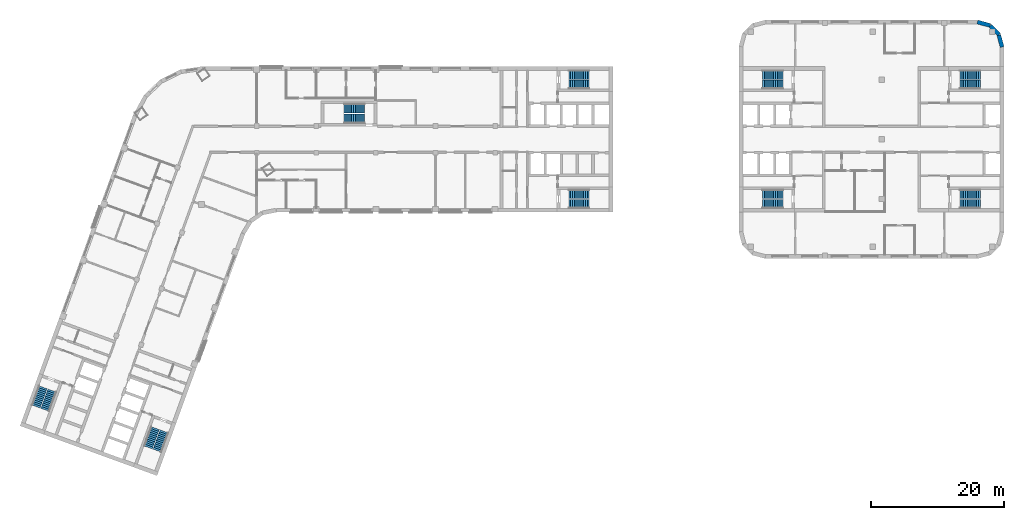
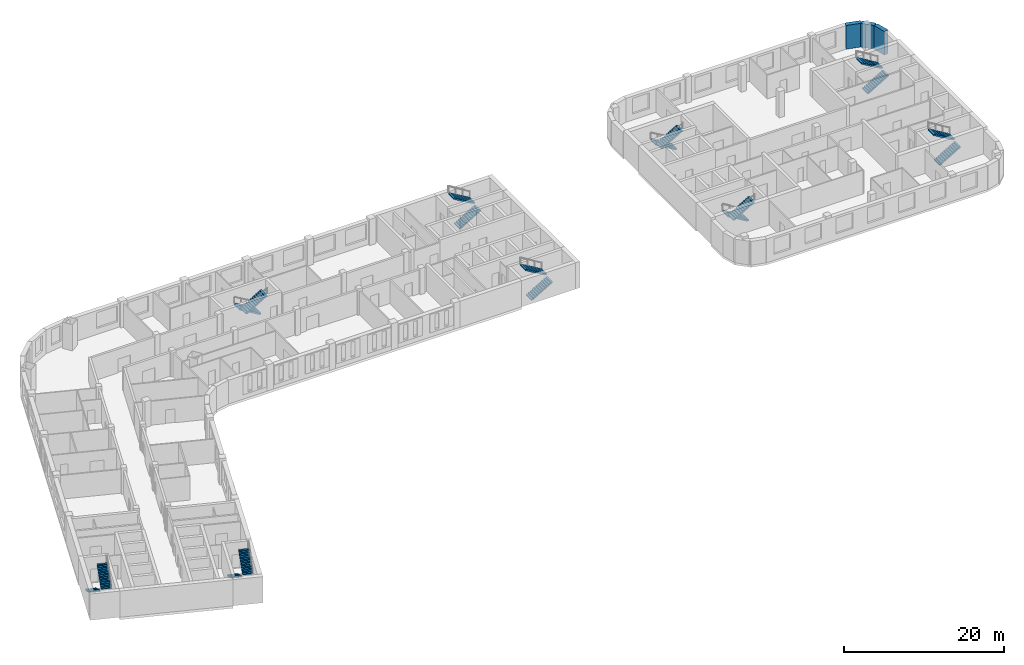
# One storey, part 10 of 12: 18 stair flights, 3 walls, 9 elements without a shape of their own.
"""IFC4 building model written with IfcOpenShell, lengths in metres."""

import ifcopenshell
import ifcopenshell.guid

model = None  # the IFC model being written
_history = None  # IfcOwnerHistory: only IFC2X3 demands one
_inside = {}  # id of a spatial element -> (the spatial element, [elements in it])
_under = {}  # id of a project, library or spatial element -> (it, [spatial elements below it])
_declared = {}  # id of a project -> (the project, [libraries it declares])
_typed = {}  # id of a type object -> (the type object, [elements of that type])
_made_of = {}  # id of a material, layer set ... -> (it, [elements and type objects made of it])


def new_model(schema):
    """Start an empty IFC model of exactly this schema.

    Asked for "IFC4X3", IfcOpenShell would pick the latest addendum, in which some entities
    have other attributes; the version numbers below select the first issue.
    IFC2X3 requires an IfcOwnerHistory on every rooted entity: one is made here for all.
    """
    global model, _history
    if schema == "IFC4X3":
        model = ifcopenshell.file(schema_version=(4, 3, 0, 0))
    else:
        model = ifcopenshell.file(schema=schema)
    _inside.clear()
    _under.clear()
    _declared.clear()
    _typed.clear()
    _made_of.clear()
    _history = None
    if model.schema == "IFC2X3":
        org = make("IfcOrganization", Name="unknown")
        user = make(
            "IfcPersonAndOrganization",
            ThePerson=make("IfcPerson", FamilyName="unknown"),
            TheOrganization=org,
        )
        app = make(
            "IfcApplication",
            ApplicationDeveloper=org,
            Version="unknown",
            ApplicationFullName="unknown",
            ApplicationIdentifier="unknown",
        )
        _history = make(
            "IfcOwnerHistory",
            OwningUser=user,
            OwningApplication=app,
            ChangeAction="ADDED",
            CreationDate=0,
        )
    return model


def make(cls, **values):
    """One entity of the class cls with the attributes given. An attribute that is None is left unset."""
    return model.create_entity(
        cls, **{name: value for name, value in values.items() if value is not None}
    )


def rooted(cls, **values):
    """An entity with a GlobalId (a new one), such as an element, a storey or a relation."""
    return make(cls, GlobalId=ifcopenshell.guid.new(), OwnerHistory=_history, **values)


def si_unit(unit_type, name, prefix=None):
    """IfcSIUnit, for example si_unit("LENGTHUNIT", "METRE", prefix="MILLI")."""
    return make("IfcSIUnit", UnitType=unit_type, Prefix=prefix, Name=name)


def assignment(units):
    """IfcUnitAssignment: the units of a project."""
    return None if units is None else make("IfcUnitAssignment", Units=units)


def point(xyz):
    """IfcCartesianPoint."""
    return None if xyz is None else make("IfcCartesianPoint", Coordinates=xyz)


def direction(xyz):
    """IfcDirection."""
    return None if xyz is None else make("IfcDirection", DirectionRatios=xyz)


def frame(location, z_axis=None, x_axis=None):
    """IfcAxis2Placement3D, a coordinate frame: its origin and axes. An axis left out is left unset."""
    return make(
        "IfcAxis2Placement3D",
        Location=point(location),
        Axis=direction(z_axis),
        RefDirection=direction(x_axis),
    )


def frame_2d(location, x_axis=None):
    """IfcAxis2Placement2D, a coordinate frame in the plane: its origin and x axis."""
    return make(
        "IfcAxis2Placement2D", Location=point(location), RefDirection=direction(x_axis)
    )


def origin():
    """The frame at (0, 0, 0) with its axes left unset."""
    return frame((0.0, 0.0, 0.0))


def place(relative_to, where):
    """IfcLocalPlacement: puts the frame where relative to a parent placement (None: the world)."""
    return make(
        "IfcLocalPlacement", PlacementRelTo=relative_to, RelativePlacement=where
    )


def context(
    kind, dimensions, precision=None, world=None, true_north=None, identifier=None
):
    """IfcGeometricRepresentationContext, for example the 3D "Model" context."""
    return make(
        "IfcGeometricRepresentationContext",
        ContextIdentifier=identifier,
        ContextType=kind,
        CoordinateSpaceDimension=dimensions,
        Precision=precision,
        WorldCoordinateSystem=world,
        TrueNorth=true_north,
    )


def subcontext(parent, identifier, kind, view, scale=None):
    """IfcGeometricRepresentationSubContext, for example "Body" below "Model"."""
    return make(
        "IfcGeometricRepresentationSubContext",
        ContextIdentifier=identifier,
        ContextType=kind,
        ParentContext=parent,
        TargetScale=scale,
        TargetView=view,
    )


def project(units=None, contexts=None):
    """IfcProject with its units and contexts."""
    return rooted(
        "IfcProject",
        Name="project",
        RepresentationContexts=contexts,
        UnitsInContext=assignment(units),
    )


def spatial(cls, under=None, at=None, **own):
    """A site, building, storey or space (cls), placed at a placement, below another one or the project."""
    s = rooted(cls, ObjectPlacement=at, **own)
    if under is not None:
        _under.setdefault(under.id(), (under, []))[1].append(s)
    return s


def polyline(points):
    """IfcPolyline through the points."""
    return make("IfcPolyline", Points=[point(p) for p in points])


def profile(cls, at=None, kind="AREA", **sizes):
    """A parametric profile (cls). Its sizes go by their IFC names, for example OverallWidth=200.0."""
    return make(cls, ProfileType=kind, Position=at, **sizes)


def rectangle(**sizes):
    """IfcRectangleProfileDef."""
    return profile("IfcRectangleProfileDef", **sizes)


def outline(outer, holes=None, kind="AREA"):
    """IfcArbitraryClosedProfileDef: a profile drawn as a closed curve; with holes, ...WithVoids."""
    if holes is None:
        return make("IfcArbitraryClosedProfileDef", ProfileType=kind, OuterCurve=outer)
    return make(
        "IfcArbitraryProfileDefWithVoids",
        ProfileType=kind,
        OuterCurve=outer,
        InnerCurves=holes,
    )


def extrude(swept, where, along, depth):
    """IfcExtrudedAreaSolid: the profile swept, set in the frame where, extruded along a direction by depth."""
    return make(
        "IfcExtrudedAreaSolid",
        SweptArea=swept,
        Position=where,
        ExtrudedDirection=direction(along),
        Depth=depth,
    )


def shape(context_of_items, identifier, shape_type, items):
    """IfcShapeRepresentation: the items that make up one representation, for example the "Body"."""
    return make(
        "IfcShapeRepresentation",
        ContextOfItems=context_of_items,
        RepresentationIdentifier=identifier,
        RepresentationType=shape_type,
        Items=items,
    )


def material(Name=None, Category=None):
    """IfcMaterial."""
    return make("IfcMaterial", Name=Name, Category=Category)


def layer(
    of_material, thickness, ventilated=None, Name=None, Category=None, Priority=None
):
    """IfcMaterialLayer: one layer of a wall or slab, of a material (None: an air gap)."""
    return make(
        "IfcMaterialLayer",
        Material=of_material,
        LayerThickness=thickness,
        IsVentilated=ventilated,
        Name=Name,
        Category=Category,
        Priority=Priority,
    )


def layer_set(layers, Name=None):
    """IfcMaterialLayerSet."""
    return make("IfcMaterialLayerSet", MaterialLayers=layers, LayerSetName=Name)


def made_of(thing, what):
    """Note that an element or type object is made of a material, layer set ...; save() writes the relation."""
    if what is not None:
        _made_of.setdefault(what.id(), (what, []))[1].append(thing)
    return thing


def type_object(cls, material=None, **own):
    """A type object (cls), such as IfcWallType, which elements share."""
    return made_of(rooted(cls, **own), material)


def element(
    cls,
    number,
    at=None,
    inside=None,
    cuts=None,
    type_object=None,
    material=None,
    context=None,
    identifier="Body",
    shape_type=None,
    held_by="IfcProductDefinitionShape",
    body=None,
    shapes=None,
    **own,
):
    """One element of the class cls, such as IfcWall. Its Tag is "e" and its number.

    at: its placement. inside: the storey or other place that contains it. cuts: it is an
    opening in that element (IfcRelVoidsElement). A single representation is given by context,
    identifier, shape_type and body (its items); several are given by shapes. held_by: the class
    of the entity that holds the representations. save() writes the other relations.
    """
    e = rooted(cls, Tag="e%d" % number, ObjectPlacement=at, **own)
    if body is not None:
        shapes = [shape(context, identifier, shape_type, body)]
    if shapes is not None:
        e.Representation = make(held_by, Representations=shapes)
    if inside is not None:
        _inside.setdefault(inside.id(), (inside, []))[1].append(e)
    if cuts is not None:
        rooted(
            "IfcRelVoidsElement", RelatingBuildingElement=cuts, RelatedOpeningElement=e
        )
    if type_object is not None:
        _typed.setdefault(type_object.id(), (type_object, []))[1].append(e)
    return made_of(e, material)


def aggregate(whole, parts):
    """IfcRelAggregates: a whole, such as a stair, and the parts it consists of."""
    return rooted("IfcRelAggregates", RelatingObject=whole, RelatedObjects=parts)


def save(model, path):
    """Write the relations noted so far, then the file.

    IfcRelAggregates (storeys below a building ...), IfcRelContainedInSpatialStructure (elements
    in a storey), IfcRelDefinesByType, IfcRelAssociatesMaterial and IfcRelDeclares: one each for
    every whole, place, type object, material and project.
    """
    for whole, parts in _under.values():
        aggregate(whole, parts)
    for where, things in _inside.values():
        rooted(
            "IfcRelContainedInSpatialStructure",
            RelatedElements=things,
            RelatingStructure=where,
        )
    for kind, things in _typed.values():
        rooted("IfcRelDefinesByType", RelatedObjects=things, RelatingType=kind)
    for what, things in _made_of.values():
        rooted("IfcRelAssociatesMaterial", RelatedObjects=things, RelatingMaterial=what)
    for by, libraries in _declared.values():
        rooted("IfcRelDeclares", RelatingContext=by, RelatedDefinitions=libraries)
    model.write(path)


model = new_model("IFC4")

# Units and contexts
model_context = context("Model", 3, precision=1e-05, world=origin(), true_north=direction((0.0, 1.0)))
body_context = subcontext(model_context, "Body", "Model", "MODEL_VIEW")
ifc_project = project(units=[si_unit("LENGTHUNIT", "METRE"), si_unit("AREAUNIT", "SQUARE_METRE"), si_unit("VOLUMEUNIT", "CUBIC_METRE"), si_unit("PLANEANGLEUNIT", "RADIAN"), si_unit("MASSUNIT", "GRAM", prefix="KILO")], contexts=[model_context])

# Site, building, storey
site_placement = place(None, origin())
site = spatial("IfcSite", under=ifc_project, at=site_placement, CompositionType="ELEMENT")
building_placement = place(site_placement, origin())
building = spatial("IfcBuilding", under=site, at=building_placement, Name="Skarvind Civic Tower", CompositionType="ELEMENT")
storey_placement = place(building_placement, frame((0.0, 0.0, 51.5)))
storey = spatial("IfcBuildingStorey", under=building, at=storey_placement, Name="L11", CompositionType="ELEMENT", Elevation=51.5)

# Walls
ifc_material_1 = material(Name="Limestone masonry cladding on insulated backing", Category="masonry")
ifc_layer = layer(ifc_material_1, 0.60009765625)
ifc_layer_set = layer_set([ifc_layer], Name="WX1 STONE FACADE WALL 600")
wall_type = type_object("IfcWallType", Name="WX1 STONE FACADE WALL 600", PredefinedType="SOLIDWALL", material=ifc_layer_set)
for number, where, z_axis, x_axis, name in (
    (1, (166.228759765625, 143.719482421875, 0.0), (0.0, 0.0, 1.0), (0.258773254036, -0.965938094805, 0.0), "STONE FACADE WALL"),
    (2, (164.936279296875, 145.103515625, 0.0), (0.0, 0.0, 1.0), (0.707106781187, -0.707106781187, 0.0), "STONE FACADE WALL"),
):
    element("IfcWall", number, at=place(storey_placement, frame(where, z_axis=z_axis, x_axis=x_axis)), inside=storey, type_object=wall_type, Name=name, PredefinedType="SOLIDWALL", context=body_context, shape_type="SweptSolid", body=[
        extrude(rectangle(XDim=1.860595703125, YDim=0.60009765625, at=frame_2d((0.93017578125, 0.0))), origin(), (0.0, 0.0, 1.0), 3.625),
    ])
wall_placement = place(storey_placement, frame((162.989990234375, 145.692138671875, 0.0), z_axis=(0.0, 0.0, 1.0), x_axis=(0.965920269068, -0.258839784042, 0.0)))
element("IfcWall", 3, at=wall_placement, inside=storey, type_object=wall_type, Name="STONE FACADE WALL", PredefinedType="SOLIDWALL", context=body_context, shape_type="SweptSolid", body=[
    extrude(rectangle(XDim=2.00048828125, YDim=0.60009765625, at=frame_2d((1.000244140625, 0.0))), origin(), (0.0, 0.0, 1.0), 3.625),
])

# Stair, stair flights
ifc_material_2 = material(Name="Concrete C40/50", Category="concrete")
stair_type_1 = type_object("IfcStairType", Name="Exit stair 1450, half-turn, concrete", PredefinedType="HALF_TURN_STAIR", material=ifc_material_2)
stair_1_placement = place(storey_placement, origin())
stair_1 = element("IfcStair", 4, at=stair_1_placement, inside=storey, type_object=stair_type_1, Name="Exit stair CM", PredefinedType="HALF_TURN_STAIR")
stair_flight_type_1 = type_object("IfcStairFlightType", Name="Stair flight 1450, concrete", PredefinedType="STRAIGHT", material=ifc_material_2)
stair_flight_1_placement = place(storey_placement, frame((70.550048828125, 132.675048828125, 0.0), z_axis=(0.0, 0.0, 1.0), x_axis=(-1.0, 0.0, 0.0)))
stair_flight_1 = element("IfcStairFlight", 5, at=stair_flight_1_placement, type_object=stair_flight_type_1, Name="ST-CM flight 1", NumberOfRisers=12, NumberOfTreads=11, PredefinedType="STRAIGHT", RiserHeight=0.166666667, TreadLength=0.28, context=body_context, shape_type="SweptSolid", body=[
    extrude(outline(polyline([(0.0, 0.0), (0.0, 0.166748046875), (0.280029296875, 0.166748046875), (0.280029296875, 0.333251953125), (0.56005859375, 0.333251953125), (0.56005859375, 0.5), (0.840087890625, 0.5), (0.840087890625, 0.666748046875), (1.1201171875, 0.666748046875), (1.1201171875, 0.833251953125), (1.39990234375, 0.833251953125), (1.39990234375, 1.0), (1.679931640625, 1.0), (1.679931640625, 1.166748046875), (1.9599609375, 1.166748046875), (1.9599609375, 1.333251953125), (2.239990234375, 1.333251953125), (2.239990234375, 1.5), (2.52001953125, 1.5), (2.52001953125, 1.666748046875), (2.800048828125, 1.666748046875), (2.800048828125, 1.833251953125), (3.080078125, 1.833251953125), (3.080078125, 2.0), (3.080078125, 1.658935546875), (0.29296875, 0.0), (0.0, 0.0)])), frame((0.0, 0.72509765625, 0.0), z_axis=(0.0, -1.0, 0.0), x_axis=(1.0, 0.0, 0.0)), (0.0, 0.0, 1.0), 1.449951171875),
])
stair_flight_2_placement = place(storey_placement, frame((67.469970703125, 131.125, 2.0), z_axis=(0.0, 0.0, 1.0), x_axis=(1.0, 0.0, 0.0)))
stair_flight_2 = element("IfcStairFlight", 6, at=stair_flight_2_placement, type_object=stair_flight_type_1, Name="ST-CM flight 2", NumberOfRisers=12, NumberOfTreads=11, PredefinedType="STRAIGHT", RiserHeight=0.166666667, TreadLength=0.28, context=body_context, shape_type="SweptSolid", body=[
    extrude(outline(polyline([(0.0, 0.0), (0.0, 0.166748046875), (0.280029296875, 0.166748046875), (0.280029296875, 0.333251953125), (0.56005859375, 0.333251953125), (0.56005859375, 0.5), (0.840087890625, 0.5), (0.840087890625, 0.666748046875), (1.1201171875, 0.666748046875), (1.1201171875, 0.833251953125), (1.39990234375, 0.833251953125), (1.39990234375, 1.0), (1.679931640625, 1.0), (1.679931640625, 1.166748046875), (1.9599609375, 1.166748046875), (1.9599609375, 1.333251953125), (2.239990234375, 1.333251953125), (2.239990234375, 1.5), (2.52001953125, 1.5), (2.52001953125, 1.666748046875), (2.800048828125, 1.666748046875), (2.800048828125, 1.833251953125), (3.080078125, 1.833251953125), (3.080078125, 2.0), (3.080078125, 1.658935546875), (0.29296875, 0.0), (0.0, 0.0)])), frame((0.0, 0.72509765625, 0.0), z_axis=(0.0, -1.0, 0.0), x_axis=(1.0, 0.0, 0.0)), (0.0, 0.0, 1.0), 1.449951171875),
])
aggregate(stair_1, [stair_flight_1, stair_flight_2])

stair_type_2 = type_object("IfcStairType", Name="Exit stair, half-turn, concrete", PredefinedType="HALF_TURN_STAIR", material=ifc_material_2)
stair_2_placement = place(storey_placement, origin())
stair_2 = element("IfcStair", 7, at=stair_2_placement, inside=storey, type_object=stair_type_2, Name="Exit stair C1S", PredefinedType="HALF_TURN_STAIR")
stair_flight_type_2 = type_object("IfcStairFlightType", Name="Stair flight, concrete", PredefinedType="STRAIGHT", material=ifc_material_2)
stair_flight_3_placement = place(storey_placement, frame((101.35009765625, 136.27490234375, 0.0), z_axis=(0.0, 0.0, 1.0), x_axis=(1.0, 0.0, 0.0)))
stair_flight_3 = element("IfcStairFlight", 8, at=stair_flight_3_placement, type_object=stair_flight_type_2, Name="ST-C1S flight 1", NumberOfRisers=12, NumberOfTreads=11, PredefinedType="STRAIGHT", RiserHeight=0.166666667, TreadLength=0.28, context=body_context, shape_type="SweptSolid", body=[
    extrude(outline(polyline([(0.0, 0.0), (0.0, 0.166748046875), (0.280029296875, 0.166748046875), (0.280029296875, 0.333251953125), (0.56005859375, 0.333251953125), (0.56005859375, 0.5), (0.840087890625, 0.5), (0.840087890625, 0.666748046875), (1.1201171875, 0.666748046875), (1.1201171875, 0.833251953125), (1.39990234375, 0.833251953125), (1.39990234375, 1.0), (1.679931640625, 1.0), (1.679931640625, 1.166748046875), (1.9599609375, 1.166748046875), (1.9599609375, 1.333251953125), (2.239990234375, 1.333251953125), (2.239990234375, 1.5), (2.52001953125, 1.5), (2.52001953125, 1.666748046875), (2.800048828125, 1.666748046875), (2.800048828125, 1.833251953125), (3.080078125, 1.833251953125), (3.080078125, 2.0), (3.080078125, 1.658935546875), (0.29296875, 0.0), (0.0, 0.0)])), frame((0.0, 0.675048828125, 0.0), z_axis=(0.0, -1.0, 0.0), x_axis=(1.0, 0.0, 0.0)), (0.0, 0.0, 1.0), 1.35009765625),
])
stair_flight_4_placement = place(storey_placement, frame((104.429931640625, 137.72509765625, 2.0), z_axis=(0.0, 0.0, 1.0), x_axis=(-1.0, 0.0, 0.0)))
stair_flight_4 = element("IfcStairFlight", 9, at=stair_flight_4_placement, type_object=stair_flight_type_2, Name="ST-C1S flight 2", NumberOfRisers=12, NumberOfTreads=11, PredefinedType="STRAIGHT", RiserHeight=0.166666667, TreadLength=0.28, context=body_context, shape_type="SweptSolid", body=[
    extrude(outline(polyline([(0.0, 0.0), (0.0, 0.166748046875), (0.280029296875, 0.166748046875), (0.280029296875, 0.333251953125), (0.56005859375, 0.333251953125), (0.56005859375, 0.5), (0.840087890625, 0.5), (0.840087890625, 0.666748046875), (1.1201171875, 0.666748046875), (1.1201171875, 0.833251953125), (1.39990234375, 0.833251953125), (1.39990234375, 1.0), (1.679931640625, 1.0), (1.679931640625, 1.166748046875), (1.9599609375, 1.166748046875), (1.9599609375, 1.333251953125), (2.239990234375, 1.333251953125), (2.239990234375, 1.5), (2.52001953125, 1.5), (2.52001953125, 1.666748046875), (2.800048828125, 1.666748046875), (2.800048828125, 1.833251953125), (3.080078125, 1.833251953125), (3.080078125, 2.0), (3.080078125, 1.658935546875), (0.29296875, 0.0), (0.0, 0.0)])), frame((0.0, 0.675048828125, 0.0), z_axis=(0.0, -1.0, 0.0), x_axis=(1.0, 0.0, 0.0)), (0.0, 0.0, 1.0), 1.35009765625),
])
aggregate(stair_2, [stair_flight_3, stair_flight_4])

stair_3_placement = place(storey_placement, origin())
stair_3 = element("IfcStair", 10, at=stair_3_placement, inside=storey, type_object=stair_type_2, Name="Exit stair C1N", PredefinedType="HALF_TURN_STAIR")
stair_flight_5_placement = place(storey_placement, frame((101.35009765625, 118.27490234375, 0.0), z_axis=(0.0, 0.0, 1.0), x_axis=(1.0, 0.0, 0.0)))
stair_flight_5 = element("IfcStairFlight", 11, at=stair_flight_5_placement, type_object=stair_flight_type_2, Name="ST-C1N flight 1", NumberOfRisers=12, NumberOfTreads=11, PredefinedType="STRAIGHT", RiserHeight=0.166666667, TreadLength=0.28, context=body_context, shape_type="SweptSolid", body=[
    extrude(outline(polyline([(0.0, 0.0), (0.0, 0.166748046875), (0.280029296875, 0.166748046875), (0.280029296875, 0.333251953125), (0.56005859375, 0.333251953125), (0.56005859375, 0.5), (0.840087890625, 0.5), (0.840087890625, 0.666748046875), (1.1201171875, 0.666748046875), (1.1201171875, 0.833251953125), (1.39990234375, 0.833251953125), (1.39990234375, 1.0), (1.679931640625, 1.0), (1.679931640625, 1.166748046875), (1.9599609375, 1.166748046875), (1.9599609375, 1.333251953125), (2.239990234375, 1.333251953125), (2.239990234375, 1.5), (2.52001953125, 1.5), (2.52001953125, 1.666748046875), (2.800048828125, 1.666748046875), (2.800048828125, 1.833251953125), (3.080078125, 1.833251953125), (3.080078125, 2.0), (3.080078125, 1.658935546875), (0.29296875, 0.0), (0.0, 0.0)])), frame((0.0, 0.675048828125, 0.0), z_axis=(0.0, -1.0, 0.0), x_axis=(1.0, 0.0, 0.0)), (0.0, 0.0, 1.0), 1.35009765625),
])
stair_flight_6_placement = place(storey_placement, frame((104.429931640625, 119.72509765625, 2.0), z_axis=(0.0, 0.0, 1.0), x_axis=(-1.0, 0.0, 0.0)))
stair_flight_6 = element("IfcStairFlight", 12, at=stair_flight_6_placement, type_object=stair_flight_type_2, Name="ST-C1N flight 2", NumberOfRisers=12, NumberOfTreads=11, PredefinedType="STRAIGHT", RiserHeight=0.166666667, TreadLength=0.28, context=body_context, shape_type="SweptSolid", body=[
    extrude(outline(polyline([(0.0, 0.0), (0.0, 0.166748046875), (0.280029296875, 0.166748046875), (0.280029296875, 0.333251953125), (0.56005859375, 0.333251953125), (0.56005859375, 0.5), (0.840087890625, 0.5), (0.840087890625, 0.666748046875), (1.1201171875, 0.666748046875), (1.1201171875, 0.833251953125), (1.39990234375, 0.833251953125), (1.39990234375, 1.0), (1.679931640625, 1.0), (1.679931640625, 1.166748046875), (1.9599609375, 1.166748046875), (1.9599609375, 1.333251953125), (2.239990234375, 1.333251953125), (2.239990234375, 1.5), (2.52001953125, 1.5), (2.52001953125, 1.666748046875), (2.800048828125, 1.666748046875), (2.800048828125, 1.833251953125), (3.080078125, 1.833251953125), (3.080078125, 2.0), (3.080078125, 1.658935546875), (0.29296875, 0.0), (0.0, 0.0)])), frame((0.0, 0.675048828125, 0.0), z_axis=(0.0, -1.0, 0.0), x_axis=(1.0, 0.0, 0.0)), (0.0, 0.0, 1.0), 1.35009765625),
])
aggregate(stair_3, [stair_flight_5, stair_flight_6])

stair_4_placement = place(storey_placement, origin())
stair_4 = element("IfcStair", 13, at=stair_4_placement, inside=storey, type_object=stair_type_2, Name="Exit stair C2S", PredefinedType="HALF_TURN_STAIR")
stair_flight_7_placement = place(storey_placement, frame((38.949462890625, 84.43408203125, 0.0), z_axis=(0.0, 0.0, 1.0), x_axis=(-0.342020143326, -0.939692620786, 0.0)))
stair_flight_7 = element("IfcStairFlight", 14, at=stair_flight_7_placement, type_object=stair_flight_type_2, Name="ST-C2S flight 1", NumberOfRisers=12, NumberOfTreads=11, PredefinedType="STRAIGHT", RiserHeight=0.166666667, TreadLength=0.28, context=body_context, shape_type="SweptSolid", body=[
    extrude(outline(polyline([(0.0, 0.0), (0.0, 0.166748046875), (0.280029296875, 0.166748046875), (0.280029296875, 0.333251953125), (0.56005859375, 0.333251953125), (0.56005859375, 0.5), (0.840087890625, 0.5), (0.840087890625, 0.666748046875), (1.1201171875, 0.666748046875), (1.1201171875, 0.833251953125), (1.39990234375, 0.833251953125), (1.39990234375, 1.0), (1.679931640625, 1.0), (1.679931640625, 1.166748046875), (1.9599609375, 1.166748046875), (1.9599609375, 1.333251953125), (2.239990234375, 1.333251953125), (2.239990234375, 1.5), (2.52001953125, 1.5), (2.52001953125, 1.666748046875), (2.800048828125, 1.666748046875), (2.800048828125, 1.833251953125), (3.080078125, 1.833251953125), (3.080078125, 2.0), (3.080078125, 1.658935546875), (0.29296875, 0.0), (0.0, 0.0)])), frame((0.0, 0.675048828125, 0.0), z_axis=(0.0, -1.0, 0.0), x_axis=(1.0, 0.0, 0.0)), (0.0, 0.0, 1.0), 1.35009765625),
])
stair_flight_8_placement = place(storey_placement, frame((39.258544921875, 81.0439453125, 2.0), z_axis=(0.0, 0.0, 1.0), x_axis=(0.342020143326, 0.939692620786, 0.0)))
stair_flight_8 = element("IfcStairFlight", 15, at=stair_flight_8_placement, type_object=stair_flight_type_2, Name="ST-C2S flight 2", NumberOfRisers=12, NumberOfTreads=11, PredefinedType="STRAIGHT", RiserHeight=0.166666667, TreadLength=0.28, context=body_context, shape_type="SweptSolid", body=[
    extrude(outline(polyline([(0.0, 0.0), (0.0, 0.166748046875), (0.280029296875, 0.166748046875), (0.280029296875, 0.333251953125), (0.56005859375, 0.333251953125), (0.56005859375, 0.5), (0.840087890625, 0.5), (0.840087890625, 0.666748046875), (1.1201171875, 0.666748046875), (1.1201171875, 0.833251953125), (1.39990234375, 0.833251953125), (1.39990234375, 1.0), (1.679931640625, 1.0), (1.679931640625, 1.166748046875), (1.9599609375, 1.166748046875), (1.9599609375, 1.333251953125), (2.239990234375, 1.333251953125), (2.239990234375, 1.5), (2.52001953125, 1.5), (2.52001953125, 1.666748046875), (2.800048828125, 1.666748046875), (2.800048828125, 1.833251953125), (3.080078125, 1.833251953125), (3.080078125, 2.0), (3.080078125, 1.658935546875), (0.29296875, 0.0), (0.0, 0.0)])), frame((0.0, 0.675048828125, 0.0), z_axis=(0.0, -1.0, 0.0), x_axis=(1.0, 0.0, 0.0)), (0.0, 0.0, 1.0), 1.35009765625),
])
aggregate(stair_4, [stair_flight_7, stair_flight_8])

stair_5_placement = place(storey_placement, origin())
stair_5 = element("IfcStair", 16, at=stair_5_placement, inside=storey, type_object=stair_type_2, Name="Exit stair C2N", PredefinedType="HALF_TURN_STAIR")
stair_flight_9_placement = place(storey_placement, frame((22.034912109375, 90.590576171875, 0.0), z_axis=(0.0, 0.0, 1.0), x_axis=(-0.342020143326, -0.939692620786, 0.0)))
stair_flight_9 = element("IfcStairFlight", 17, at=stair_flight_9_placement, type_object=stair_flight_type_2, Name="ST-C2N flight 1", NumberOfRisers=12, NumberOfTreads=11, PredefinedType="STRAIGHT", RiserHeight=0.166666667, TreadLength=0.28, context=body_context, shape_type="SweptSolid", body=[
    extrude(outline(polyline([(0.0, 0.0), (0.0, 0.166748046875), (0.280029296875, 0.166748046875), (0.280029296875, 0.333251953125), (0.56005859375, 0.333251953125), (0.56005859375, 0.5), (0.840087890625, 0.5), (0.840087890625, 0.666748046875), (1.1201171875, 0.666748046875), (1.1201171875, 0.833251953125), (1.39990234375, 0.833251953125), (1.39990234375, 1.0), (1.679931640625, 1.0), (1.679931640625, 1.166748046875), (1.9599609375, 1.166748046875), (1.9599609375, 1.333251953125), (2.239990234375, 1.333251953125), (2.239990234375, 1.5), (2.52001953125, 1.5), (2.52001953125, 1.666748046875), (2.800048828125, 1.666748046875), (2.800048828125, 1.833251953125), (3.080078125, 1.833251953125), (3.080078125, 2.0), (3.080078125, 1.658935546875), (0.29296875, 0.0), (0.0, 0.0)])), frame((0.0, 0.675048828125, 0.0), z_axis=(0.0, -1.0, 0.0), x_axis=(1.0, 0.0, 0.0)), (0.0, 0.0, 1.0), 1.35009765625),
])
stair_flight_10_placement = place(storey_placement, frame((22.343994140625, 87.2001953125, 2.0), z_axis=(0.0, 0.0, 1.0), x_axis=(0.342020143326, 0.939692620786, 0.0)))
stair_flight_10 = element("IfcStairFlight", 18, at=stair_flight_10_placement, type_object=stair_flight_type_2, Name="ST-C2N flight 2", NumberOfRisers=12, NumberOfTreads=11, PredefinedType="STRAIGHT", RiserHeight=0.166666667, TreadLength=0.28, context=body_context, shape_type="SweptSolid", body=[
    extrude(outline(polyline([(0.0, 0.0), (0.0, 0.166748046875), (0.280029296875, 0.166748046875), (0.280029296875, 0.333251953125), (0.56005859375, 0.333251953125), (0.56005859375, 0.5), (0.840087890625, 0.5), (0.840087890625, 0.666748046875), (1.1201171875, 0.666748046875), (1.1201171875, 0.833251953125), (1.39990234375, 0.833251953125), (1.39990234375, 1.0), (1.679931640625, 1.0), (1.679931640625, 1.166748046875), (1.9599609375, 1.166748046875), (1.9599609375, 1.333251953125), (2.239990234375, 1.333251953125), (2.239990234375, 1.5), (2.52001953125, 1.5), (2.52001953125, 1.666748046875), (2.800048828125, 1.666748046875), (2.800048828125, 1.833251953125), (3.080078125, 1.833251953125), (3.080078125, 2.0), (3.080078125, 1.658935546875), (0.29296875, 0.0), (0.0, 0.0)])), frame((0.0, 0.675048828125, 0.0), z_axis=(0.0, -1.0, 0.0), x_axis=(1.0, 0.0, 0.0)), (0.0, 0.0, 1.0), 1.35009765625),
])
aggregate(stair_5, [stair_flight_9, stair_flight_10])

stair_6_placement = place(storey_placement, origin())
stair_6 = element("IfcStair", 19, at=stair_6_placement, inside=storey, type_object=stair_type_2, Name="Exit stair CAS", PredefinedType="HALF_TURN_STAIR")
stair_flight_11_placement = place(storey_placement, frame((133.64990234375, 119.72509765625, 0.0), z_axis=(0.0, 0.0, 1.0), x_axis=(-1.0, 0.0, 0.0)))
stair_flight_11 = element("IfcStairFlight", 20, at=stair_flight_11_placement, type_object=stair_flight_type_2, Name="ST-CAS flight 1", NumberOfRisers=12, NumberOfTreads=11, PredefinedType="STRAIGHT", RiserHeight=0.166666667, TreadLength=0.28, context=body_context, shape_type="SweptSolid", body=[
    extrude(outline(polyline([(0.0, 0.0), (0.0, 0.166748046875), (0.280029296875, 0.166748046875), (0.280029296875, 0.333251953125), (0.56005859375, 0.333251953125), (0.56005859375, 0.5), (0.840087890625, 0.5), (0.840087890625, 0.666748046875), (1.1201171875, 0.666748046875), (1.1201171875, 0.833251953125), (1.39990234375, 0.833251953125), (1.39990234375, 1.0), (1.679931640625, 1.0), (1.679931640625, 1.166748046875), (1.9599609375, 1.166748046875), (1.9599609375, 1.333251953125), (2.239990234375, 1.333251953125), (2.239990234375, 1.5), (2.52001953125, 1.5), (2.52001953125, 1.666748046875), (2.800048828125, 1.666748046875), (2.800048828125, 1.833251953125), (3.080078125, 1.833251953125), (3.080078125, 2.0), (3.080078125, 1.658935546875), (0.29296875, 0.0), (0.0, 0.0)])), frame((0.0, 0.675048828125, 0.0), z_axis=(0.0, -1.0, 0.0), x_axis=(1.0, 0.0, 0.0)), (0.0, 0.0, 1.0), 1.35009765625),
])
stair_flight_12_placement = place(storey_placement, frame((130.570068359375, 118.27490234375, 2.0), z_axis=(0.0, 0.0, 1.0), x_axis=(1.0, 0.0, 0.0)))
stair_flight_12 = element("IfcStairFlight", 21, at=stair_flight_12_placement, type_object=stair_flight_type_2, Name="ST-CAS flight 2", NumberOfRisers=12, NumberOfTreads=11, PredefinedType="STRAIGHT", RiserHeight=0.166666667, TreadLength=0.28, context=body_context, shape_type="SweptSolid", body=[
    extrude(outline(polyline([(0.0, 0.0), (0.0, 0.166748046875), (0.280029296875, 0.166748046875), (0.280029296875, 0.333251953125), (0.56005859375, 0.333251953125), (0.56005859375, 0.5), (0.840087890625, 0.5), (0.840087890625, 0.666748046875), (1.1201171875, 0.666748046875), (1.1201171875, 0.833251953125), (1.39990234375, 0.833251953125), (1.39990234375, 1.0), (1.679931640625, 1.0), (1.679931640625, 1.166748046875), (1.9599609375, 1.166748046875), (1.9599609375, 1.333251953125), (2.239990234375, 1.333251953125), (2.239990234375, 1.5), (2.52001953125, 1.5), (2.52001953125, 1.666748046875), (2.800048828125, 1.666748046875), (2.800048828125, 1.833251953125), (3.080078125, 1.833251953125), (3.080078125, 2.0), (3.080078125, 1.658935546875), (0.29296875, 0.0), (0.0, 0.0)])), frame((0.0, 0.675048828125, 0.0), z_axis=(0.0, -1.0, 0.0), x_axis=(1.0, 0.0, 0.0)), (0.0, 0.0, 1.0), 1.35009765625),
])
aggregate(stair_6, [stair_flight_11, stair_flight_12])

stair_7_placement = place(storey_placement, origin())
stair_7 = element("IfcStair", 22, at=stair_7_placement, inside=storey, type_object=stair_type_2, Name="Exit stair CAN", PredefinedType="HALF_TURN_STAIR")
stair_flight_13_placement = place(storey_placement, frame((133.64990234375, 137.72509765625, 0.0), z_axis=(0.0, 0.0, 1.0), x_axis=(-1.0, 0.0, 0.0)))
stair_flight_13 = element("IfcStairFlight", 23, at=stair_flight_13_placement, type_object=stair_flight_type_2, Name="ST-CAN flight 1", NumberOfRisers=12, NumberOfTreads=11, PredefinedType="STRAIGHT", RiserHeight=0.166666667, TreadLength=0.28, context=body_context, shape_type="SweptSolid", body=[
    extrude(outline(polyline([(0.0, 0.0), (0.0, 0.166748046875), (0.280029296875, 0.166748046875), (0.280029296875, 0.333251953125), (0.56005859375, 0.333251953125), (0.56005859375, 0.5), (0.840087890625, 0.5), (0.840087890625, 0.666748046875), (1.1201171875, 0.666748046875), (1.1201171875, 0.833251953125), (1.39990234375, 0.833251953125), (1.39990234375, 1.0), (1.679931640625, 1.0), (1.679931640625, 1.166748046875), (1.9599609375, 1.166748046875), (1.9599609375, 1.333251953125), (2.239990234375, 1.333251953125), (2.239990234375, 1.5), (2.52001953125, 1.5), (2.52001953125, 1.666748046875), (2.800048828125, 1.666748046875), (2.800048828125, 1.833251953125), (3.080078125, 1.833251953125), (3.080078125, 2.0), (3.080078125, 1.658935546875), (0.29296875, 0.0), (0.0, 0.0)])), frame((0.0, 0.675048828125, 0.0), z_axis=(0.0, -1.0, 0.0), x_axis=(1.0, 0.0, 0.0)), (0.0, 0.0, 1.0), 1.35009765625),
])
stair_flight_14_placement = place(storey_placement, frame((130.570068359375, 136.27490234375, 2.0), z_axis=(0.0, 0.0, 1.0), x_axis=(1.0, 0.0, 0.0)))
stair_flight_14 = element("IfcStairFlight", 24, at=stair_flight_14_placement, type_object=stair_flight_type_2, Name="ST-CAN flight 2", NumberOfRisers=12, NumberOfTreads=11, PredefinedType="STRAIGHT", RiserHeight=0.166666667, TreadLength=0.28, context=body_context, shape_type="SweptSolid", body=[
    extrude(outline(polyline([(0.0, 0.0), (0.0, 0.166748046875), (0.280029296875, 0.166748046875), (0.280029296875, 0.333251953125), (0.56005859375, 0.333251953125), (0.56005859375, 0.5), (0.840087890625, 0.5), (0.840087890625, 0.666748046875), (1.1201171875, 0.666748046875), (1.1201171875, 0.833251953125), (1.39990234375, 0.833251953125), (1.39990234375, 1.0), (1.679931640625, 1.0), (1.679931640625, 1.166748046875), (1.9599609375, 1.166748046875), (1.9599609375, 1.333251953125), (2.239990234375, 1.333251953125), (2.239990234375, 1.5), (2.52001953125, 1.5), (2.52001953125, 1.666748046875), (2.800048828125, 1.666748046875), (2.800048828125, 1.833251953125), (3.080078125, 1.833251953125), (3.080078125, 2.0), (3.080078125, 1.658935546875), (0.29296875, 0.0), (0.0, 0.0)])), frame((0.0, 0.675048828125, 0.0), z_axis=(0.0, -1.0, 0.0), x_axis=(1.0, 0.0, 0.0)), (0.0, 0.0, 1.0), 1.35009765625),
])
aggregate(stair_7, [stair_flight_13, stair_flight_14])

stair_8_placement = place(storey_placement, origin())
stair_8 = element("IfcStair", 25, at=stair_8_placement, inside=storey, type_object=stair_type_2, Name="Exit stair CBS", PredefinedType="HALF_TURN_STAIR")
stair_flight_15_placement = place(storey_placement, frame((160.35009765625, 136.27490234375, 0.0), z_axis=(0.0, 0.0, 1.0), x_axis=(1.0, 0.0, 0.0)))
stair_flight_15 = element("IfcStairFlight", 26, at=stair_flight_15_placement, type_object=stair_flight_type_2, Name="ST-CBS flight 1", NumberOfRisers=12, NumberOfTreads=11, PredefinedType="STRAIGHT", RiserHeight=0.166666667, TreadLength=0.28, context=body_context, shape_type="SweptSolid", body=[
    extrude(outline(polyline([(0.0, 0.0), (0.0, 0.166748046875), (0.280029296875, 0.166748046875), (0.280029296875, 0.333251953125), (0.56005859375, 0.333251953125), (0.56005859375, 0.5), (0.840087890625, 0.5), (0.840087890625, 0.666748046875), (1.1201171875, 0.666748046875), (1.1201171875, 0.833251953125), (1.39990234375, 0.833251953125), (1.39990234375, 1.0), (1.679931640625, 1.0), (1.679931640625, 1.166748046875), (1.9599609375, 1.166748046875), (1.9599609375, 1.333251953125), (2.239990234375, 1.333251953125), (2.239990234375, 1.5), (2.52001953125, 1.5), (2.52001953125, 1.666748046875), (2.800048828125, 1.666748046875), (2.800048828125, 1.833251953125), (3.080078125, 1.833251953125), (3.080078125, 2.0), (3.080078125, 1.658935546875), (0.29296875, 0.0), (0.0, 0.0)])), frame((0.0, 0.675048828125, 0.0), z_axis=(0.0, -1.0, 0.0), x_axis=(1.0, 0.0, 0.0)), (0.0, 0.0, 1.0), 1.35009765625),
])
stair_flight_16_placement = place(storey_placement, frame((163.429931640625, 137.72509765625, 2.0), z_axis=(0.0, 0.0, 1.0), x_axis=(-1.0, 0.0, 0.0)))
stair_flight_16 = element("IfcStairFlight", 27, at=stair_flight_16_placement, type_object=stair_flight_type_2, Name="ST-CBS flight 2", NumberOfRisers=12, NumberOfTreads=11, PredefinedType="STRAIGHT", RiserHeight=0.166666667, TreadLength=0.28, context=body_context, shape_type="SweptSolid", body=[
    extrude(outline(polyline([(0.0, 0.0), (0.0, 0.166748046875), (0.280029296875, 0.166748046875), (0.280029296875, 0.333251953125), (0.56005859375, 0.333251953125), (0.56005859375, 0.5), (0.840087890625, 0.5), (0.840087890625, 0.666748046875), (1.1201171875, 0.666748046875), (1.1201171875, 0.833251953125), (1.39990234375, 0.833251953125), (1.39990234375, 1.0), (1.679931640625, 1.0), (1.679931640625, 1.166748046875), (1.9599609375, 1.166748046875), (1.9599609375, 1.333251953125), (2.239990234375, 1.333251953125), (2.239990234375, 1.5), (2.52001953125, 1.5), (2.52001953125, 1.666748046875), (2.800048828125, 1.666748046875), (2.800048828125, 1.833251953125), (3.080078125, 1.833251953125), (3.080078125, 2.0), (3.080078125, 1.658935546875), (0.29296875, 0.0), (0.0, 0.0)])), frame((0.0, 0.675048828125, 0.0), z_axis=(0.0, -1.0, 0.0), x_axis=(1.0, 0.0, 0.0)), (0.0, 0.0, 1.0), 1.35009765625),
])
aggregate(stair_8, [stair_flight_15, stair_flight_16])

stair_9_placement = place(storey_placement, origin())
stair_9 = element("IfcStair", 28, at=stair_9_placement, inside=storey, type_object=stair_type_2, Name="Exit stair CBN", PredefinedType="HALF_TURN_STAIR")
stair_flight_17_placement = place(storey_placement, frame((160.35009765625, 118.27490234375, 0.0), z_axis=(0.0, 0.0, 1.0), x_axis=(1.0, 0.0, 0.0)))
stair_flight_17 = element("IfcStairFlight", 29, at=stair_flight_17_placement, type_object=stair_flight_type_2, Name="ST-CBN flight 1", NumberOfRisers=12, NumberOfTreads=11, PredefinedType="STRAIGHT", RiserHeight=0.166666667, TreadLength=0.28, context=body_context, shape_type="SweptSolid", body=[
    extrude(outline(polyline([(0.0, 0.0), (0.0, 0.166748046875), (0.280029296875, 0.166748046875), (0.280029296875, 0.333251953125), (0.56005859375, 0.333251953125), (0.56005859375, 0.5), (0.840087890625, 0.5), (0.840087890625, 0.666748046875), (1.1201171875, 0.666748046875), (1.1201171875, 0.833251953125), (1.39990234375, 0.833251953125), (1.39990234375, 1.0), (1.679931640625, 1.0), (1.679931640625, 1.166748046875), (1.9599609375, 1.166748046875), (1.9599609375, 1.333251953125), (2.239990234375, 1.333251953125), (2.239990234375, 1.5), (2.52001953125, 1.5), (2.52001953125, 1.666748046875), (2.800048828125, 1.666748046875), (2.800048828125, 1.833251953125), (3.080078125, 1.833251953125), (3.080078125, 2.0), (3.080078125, 1.658935546875), (0.29296875, 0.0), (0.0, 0.0)])), frame((0.0, 0.675048828125, 0.0), z_axis=(0.0, -1.0, 0.0), x_axis=(1.0, 0.0, 0.0)), (0.0, 0.0, 1.0), 1.35009765625),
])
stair_flight_18_placement = place(storey_placement, frame((163.429931640625, 119.72509765625, 2.0), z_axis=(0.0, 0.0, 1.0), x_axis=(-1.0, 0.0, 0.0)))
stair_flight_18 = element("IfcStairFlight", 30, at=stair_flight_18_placement, type_object=stair_flight_type_2, Name="ST-CBN flight 2", NumberOfRisers=12, NumberOfTreads=11, PredefinedType="STRAIGHT", RiserHeight=0.166666667, TreadLength=0.28, context=body_context, shape_type="SweptSolid", body=[
    extrude(outline(polyline([(0.0, 0.0), (0.0, 0.166748046875), (0.280029296875, 0.166748046875), (0.280029296875, 0.333251953125), (0.56005859375, 0.333251953125), (0.56005859375, 0.5), (0.840087890625, 0.5), (0.840087890625, 0.666748046875), (1.1201171875, 0.666748046875), (1.1201171875, 0.833251953125), (1.39990234375, 0.833251953125), (1.39990234375, 1.0), (1.679931640625, 1.0), (1.679931640625, 1.166748046875), (1.9599609375, 1.166748046875), (1.9599609375, 1.333251953125), (2.239990234375, 1.333251953125), (2.239990234375, 1.5), (2.52001953125, 1.5), (2.52001953125, 1.666748046875), (2.800048828125, 1.666748046875), (2.800048828125, 1.833251953125), (3.080078125, 1.833251953125), (3.080078125, 2.0), (3.080078125, 1.658935546875), (0.29296875, 0.0), (0.0, 0.0)])), frame((0.0, 0.675048828125, 0.0), z_axis=(0.0, -1.0, 0.0), x_axis=(1.0, 0.0, 0.0)), (0.0, 0.0, 1.0), 1.35009765625),
])
aggregate(stair_9, [stair_flight_17, stair_flight_18])

save(model, "model.ifc")
